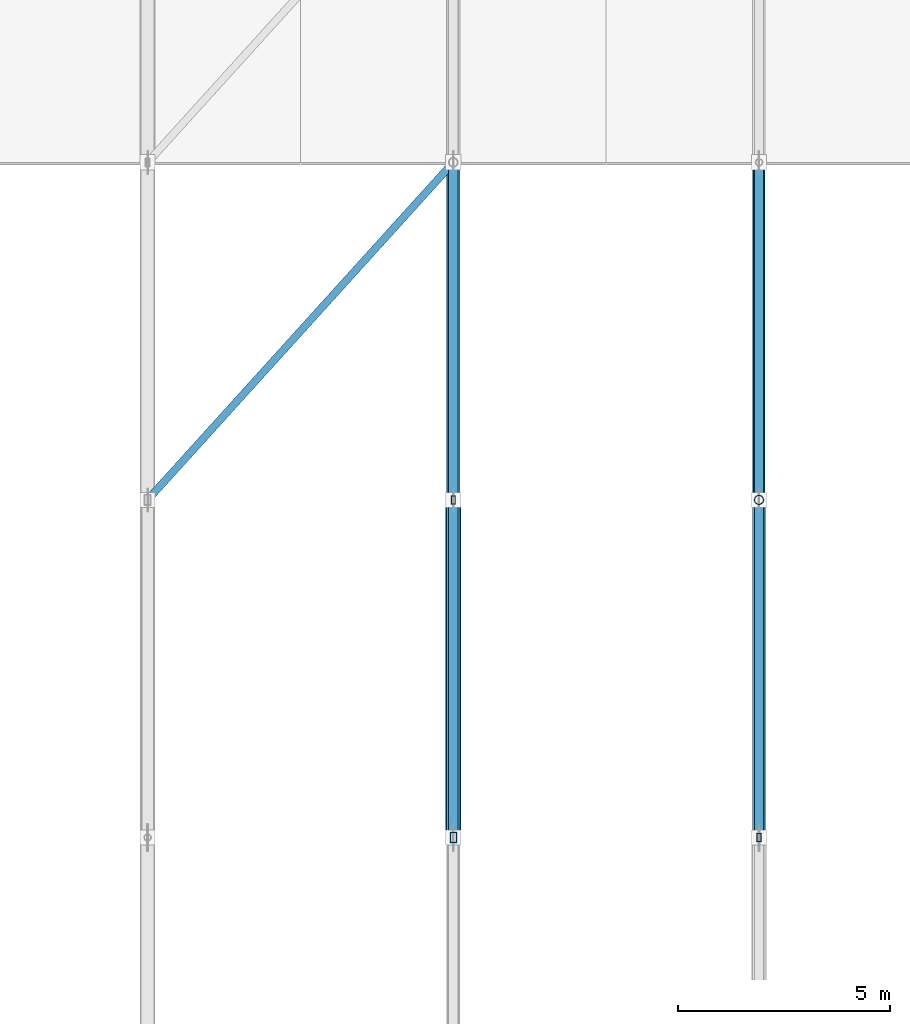
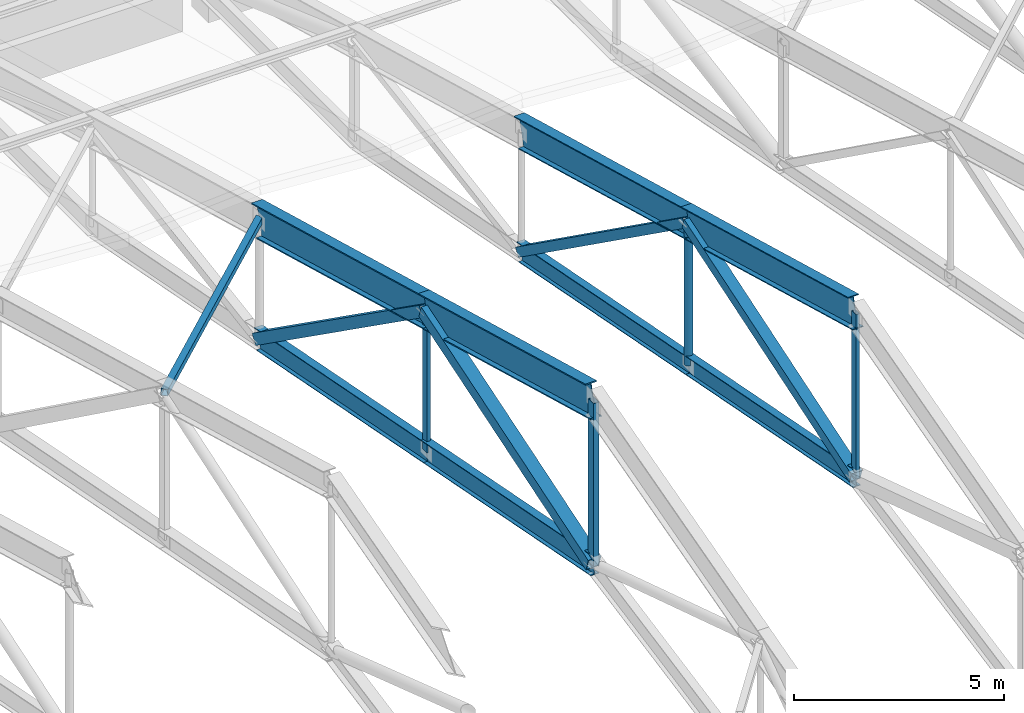
# One storey, part 19 of 53: 9 members, 8 beams.
"""IFC4 building model written with IfcOpenShell, lengths in metres."""

from ifc_helpers import new_model, si_unit, direction, frame, origin, origin_2d, place, context, subcontext, project, spatial, hollow_rectangle, hollow_circle, i_section, extrude, material, material_profile, profile_set, type_object, element, save


model = new_model("IFC4")

# Units and contexts
model_context = context("Model", 3, precision=1e-05, world=origin(), true_north=direction((0.0, 1.0)))
body_context = subcontext(model_context, "Body", "Model", "MODEL_VIEW")
ifc_project = project(units=[si_unit("LENGTHUNIT", "METRE"), si_unit("AREAUNIT", "SQUARE_METRE"), si_unit("VOLUMEUNIT", "CUBIC_METRE"), si_unit("PLANEANGLEUNIT", "RADIAN"), si_unit("MASSUNIT", "GRAM", prefix="KILO")], contexts=[model_context])

# Site, building, storey
site_placement = place(None, origin())
site = spatial("IfcSite", under=ifc_project, at=site_placement, CompositionType="ELEMENT")
building_placement = place(site_placement, origin())
building = spatial("IfcBuilding", under=site, at=building_placement, Name="Pellamere Symphony Hall", CompositionType="ELEMENT")
storey_placement = place(building_placement, frame((0.0, 0.0, 24.0)))
storey = spatial("IfcBuildingStorey", under=building, at=storey_placement, Name="L05", CompositionType="ELEMENT", Elevation=24.0)

# Beams
ifc_material = material(Name="Steel CSA G40.21 350W", Category="steel")
ifc_material_profile_1 = material_profile(ifc_material, i_section(OverallWidth=0.30810546875, OverallDepth=0.927001953125, WebThickness=0.019287109375, FlangeThickness=0.031982421875, at=origin_2d()), Name="W920X289")
ifc_profile_set_1 = profile_set([ifc_material_profile_1], Name="Steel CSA G40.21 350W")
beam_type_1 = type_object("IfcBeamType", Name="Steel Beam SB-02 W920X289", PredefinedType="BEAM", material=ifc_profile_set_1)
for number, where, z_axis, x_axis, name in (
    (1, (87.60009765625, 61.800048828125, 9.531494140625), (0.0, 0.964090435702, -0.265574154969), (-1.0, 0.0, 0.0), "Roof Truss TR-05 Top Chord 5"),
    (2, (87.60009765625, 69.75, 7.341552734375), (0.0, 0.964090435702, -0.265574154969), (-1.0, 0.0, 0.0), "Roof Truss TR-05 Top Chord 6"),
):
    element("IfcBeam", number, at=place(storey_placement, frame(where, z_axis=z_axis, x_axis=x_axis)), inside=storey, type_object=beam_type_1, Name=name, PredefinedType="BEAM", context=body_context, shape_type="SweptSolid", body=[
        extrude(i_section(OverallWidth=0.30810546875, OverallDepth=0.927001953125, WebThickness=0.019287109375, FlangeThickness=0.031982421875, at=origin_2d()), origin(), (0.0, 0.0, 1.0), 8.24609375),
    ])
ifc_material_profile_2 = material_profile(ifc_material, i_section(OverallWidth=0.2939453125, OverallDepth=0.85107421875, WebThickness=0.01611328125, FlangeThickness=0.02685546875, at=origin_2d()), Name="W840X226")
ifc_profile_set_2 = profile_set([ifc_material_profile_2], Name="Steel CSA G40.21 350W")
beam_type_2 = type_object("IfcBeamType", Name="Steel Beam SB-04 W840X226", PredefinedType="BEAM", material=ifc_profile_set_2)
for number, where, z_axis, x_axis, name in (
    (3, (94.800048828125, 61.800048828125, 9.569580078125), (0.0, 0.964082854885, -0.265601673408), (-1.0, 0.0, 0.0), "Roof Truss TR-06 Top Chord 5"),
    (4, (94.800048828125, 69.75, 7.37939453125), (0.0, 0.964090435702, -0.265574154969), (-1.0, 0.0, 0.0), "Roof Truss TR-06 Top Chord 6"),
):
    element("IfcBeam", number, at=place(storey_placement, frame(where, z_axis=z_axis, x_axis=x_axis)), inside=storey, type_object=beam_type_2, Name=name, PredefinedType="BEAM", context=body_context, shape_type="SweptSolid", body=[
        extrude(i_section(OverallWidth=0.2939453125, OverallDepth=0.85107421875, WebThickness=0.01611328125, FlangeThickness=0.02685546875, at=origin_2d()), origin(), (0.0, 0.0, 1.0), 8.24609375),
    ])
ifc_material_profile_3 = material_profile(ifc_material, i_section(OverallWidth=0.22802734375, OverallDepth=0.60791015625, WebThickness=0.01123046875, FlangeThickness=0.017333984375, at=origin_2d()), Name="W610X113")
ifc_profile_set_3 = profile_set([ifc_material_profile_3], Name="Steel CSA G40.21 350W")
beam_type_3 = type_object("IfcBeamType", Name="Steel Beam SB-12 W610X113", PredefinedType="BEAM", material=ifc_profile_set_3)
for number, where, z_axis, x_axis, name in (
    (5, (87.60009765625, 61.800048828125, 4.800048828125), (0.0, 0.981596715528, -0.190965672477), (-1.0, 0.0, 0.0), "Roof Truss TR-05 Bottom Chord 5"),
    (6, (87.60009765625, 69.75, 3.25341796875), (0.0, 0.981596715528, -0.190965672477), (-1.0, 0.0, 0.0), "Roof Truss TR-05 Bottom Chord 6"),
):
    element("IfcBeam", number, at=place(storey_placement, frame(where, z_axis=z_axis, x_axis=x_axis)), inside=storey, type_object=beam_type_3, Name=name, PredefinedType="BEAM", context=body_context, shape_type="SweptSolid", body=[
        extrude(i_section(OverallWidth=0.22802734375, OverallDepth=0.60791015625, WebThickness=0.01123046875, FlangeThickness=0.017333984375, at=origin_2d()), origin(), (0.0, 0.0, 1.0), 8.09912109375),
    ])
ifc_material_profile_4 = material_profile(ifc_material, i_section(OverallWidth=0.2109375, OverallDepth=0.5390625, WebThickness=0.01171875, FlangeThickness=0.018798828125, at=origin_2d()), Name="W530X109")
ifc_profile_set_4 = profile_set([ifc_material_profile_4], Name="Steel CSA G40.21 350W")
beam_type_4 = type_object("IfcBeamType", Name="Steel Beam SB-14 W530X109", PredefinedType="BEAM", material=ifc_profile_set_4)
for number, where, z_axis, x_axis, name in (
    (7, (94.800048828125, 61.800048828125, 4.800048828125), (0.0, 0.981596715528, -0.190965672477), (-1.0, 0.0, 0.0), "Roof Truss TR-06 Bottom Chord 5"),
    (8, (94.800048828125, 69.75, 3.25341796875), (0.0, 0.981596715528, -0.190965672477), (-1.0, 0.0, 0.0), "Roof Truss TR-06 Bottom Chord 6"),
):
    element("IfcBeam", number, at=place(storey_placement, frame(where, z_axis=z_axis, x_axis=x_axis)), inside=storey, type_object=beam_type_4, Name=name, PredefinedType="BEAM", context=body_context, shape_type="SweptSolid", body=[
        extrude(i_section(OverallWidth=0.2109375, OverallDepth=0.5390625, WebThickness=0.01171875, FlangeThickness=0.018798828125, at=origin_2d()), origin(), (0.0, 0.0, 1.0), 8.09912109375),
    ])

# Members
ifc_material_profile_5 = material_profile(ifc_material, hollow_rectangle(XDim=0.355712890625, YDim=0.355712890625, WallThickness=0.015869140625, at=origin_2d()), Name="HSS356X356X16")
ifc_profile_set_5 = profile_set([ifc_material_profile_5], Name="Steel CSA G40.21 350W")
member_type_1 = type_object("IfcMemberType", Name="Steel Member SM-01 HSS356X356X16", PredefinedType="CHORD", material=ifc_profile_set_5)
member_1_placement = place(storey_placement, frame((87.60009765625, 61.800048828125, 4.800048828125), z_axis=(0.0, 0.952510377057, 0.304506127358), x_axis=(-1.0, 0.0, 0.0)))
element("IfcMember", 9, at=member_1_placement, inside=storey, type_object=member_type_1, Name="Roof Truss TR-05 Web Diagonal 5", PredefinedType="CHORD", context=body_context, shape_type="SweptSolid", body=[
    extrude(hollow_rectangle(XDim=0.355712890625, YDim=0.355712890625, WallThickness=0.015869140625, at=origin_2d()), origin(), (0.0, 0.0, 1.0), 8.346435546875),
])
ifc_material_profile_6 = material_profile(ifc_material, hollow_rectangle(XDim=0.3046875, YDim=0.3046875, WallThickness=0.0126953125, at=origin_2d()), Name="HSS305X305X13")
ifc_profile_set_6 = profile_set([ifc_material_profile_6], Name="Steel CSA G40.21 350W")
member_type_2 = type_object("IfcMemberType", Name="Steel Member SM-02 HSS305X305X13", PredefinedType="CHORD", material=ifc_profile_set_6)
member_2_placement = place(storey_placement, frame((87.60009765625, 69.75, 7.341552734375), z_axis=(0.0, 0.815852596622, -0.578259924762), x_axis=(-1.0, 0.0, 0.0)))
element("IfcMember", 10, at=member_2_placement, inside=storey, type_object=member_type_2, Name="Roof Truss TR-05 Web Diagonal 6", PredefinedType="CHORD", context=body_context, shape_type="SweptSolid", body=[
    extrude(hollow_rectangle(XDim=0.3046875, YDim=0.3046875, WallThickness=0.0126953125, at=origin_2d()), origin(), (0.0, 0.0, 1.0), 9.744384765625),
])
member_3_placement = place(storey_placement, frame((94.800048828125, 61.800048828125, 4.800048828125), z_axis=(0.0, 0.951188293003, 0.308611132745), x_axis=(-1.0, 0.0, 0.0)))
element("IfcMember", 11, at=member_3_placement, inside=storey, type_object=member_type_2, Name="Roof Truss TR-06 Web Diagonal 5", PredefinedType="CHORD", context=body_context, shape_type="SweptSolid", body=[
    extrude(hollow_rectangle(XDim=0.3046875, YDim=0.3046875, WallThickness=0.0126953125, at=origin_2d()), origin(), (0.0, 0.0, 1.0), 8.35791015625),
])
ifc_material_profile_7 = material_profile(ifc_material, hollow_rectangle(XDim=0.25390625, YDim=0.25390625, WallThickness=0.0126953125, at=origin_2d()), Name="HSS254X254X13")
ifc_profile_set_7 = profile_set([ifc_material_profile_7], Name="Steel CSA G40.21 350W")
member_type_3 = type_object("IfcMemberType", Name="Steel Member SM-03 HSS254X254X13", PredefinedType="BRACE", material=ifc_profile_set_7)
member_4_placement = place(storey_placement, frame((94.800048828125, 69.75, 7.37939453125), z_axis=(0.0, 0.814020514852, -0.580836122672), x_axis=(-1.0, 0.0, 0.0)))
element("IfcMember", 12, at=member_4_placement, inside=storey, type_object=member_type_3, Name="Roof Truss TR-06 Web Diagonal 6", PredefinedType="BRACE", context=body_context, shape_type="SweptSolid", body=[
    extrude(hollow_rectangle(XDim=0.25390625, YDim=0.25390625, WallThickness=0.0126953125, at=origin_2d()), origin(), (0.0, 0.0, 1.0), 9.766357421875),
])
ifc_material_profile_8 = material_profile(ifc_material, hollow_rectangle(XDim=0.177734375, YDim=0.177734375, WallThickness=0.009521484375, at=origin_2d()), Name="HSS178X178X10")
ifc_profile_set_8 = profile_set([ifc_material_profile_8], Name="Steel CSA G40.21 350W")
member_type_4 = type_object("IfcMemberType", Name="Steel Member SM-05 HSS178X178X10", PredefinedType="BRACE", material=ifc_profile_set_8)
member_5_placement = place(storey_placement, frame((80.39990234375, 69.75, 7.45751953125), z_axis=(0.656296416042, 0.724636518228, -0.210183088618), x_axis=(-0.741193261843, 0.671291701571, 0.0)))
element("IfcMember", 13, at=member_5_placement, inside=storey, type_object=member_type_4, Name="Roof Truss Plan Wind Brace 4.5", PredefinedType="BRACE", context=body_context, shape_type="SweptSolid", body=[
    extrude(hollow_rectangle(XDim=0.177734375, YDim=0.177734375, WallThickness=0.009521484375, at=origin_2d()), origin(), (0.0, 0.0, 1.0), 10.970947265625),
])
ifc_material_profile_9 = material_profile(ifc_material, hollow_rectangle(XDim=0.15234375, YDim=0.25390625, WallThickness=0.010986328125, at=origin_2d()), Name="HSS254X152X11")
ifc_profile_set_9 = profile_set([ifc_material_profile_9], Name="Steel CSA G40.21 350W")
member_type_5 = type_object("IfcMemberType", Name="Steel Member SM-07 HSS254X152X11", PredefinedType="STRUT", material=ifc_profile_set_9)
member_6_placement = place(storey_placement, frame((87.60009765625, 61.800048828125, 4.800048828125), z_axis=(0.0, 0.0, 1.0), x_axis=(1.0, 0.0, 0.0)))
element("IfcMember", 14, at=member_6_placement, inside=storey, type_object=member_type_5, Name="Roof Truss TR-05 Vertical Post 4", PredefinedType="STRUT", context=body_context, shape_type="SweptSolid", body=[
    extrude(hollow_rectangle(XDim=0.15234375, YDim=0.25390625, WallThickness=0.010986328125, at=origin_2d()), origin(), (0.0, 0.0, 1.0), 4.7314453125),
])
ifc_material_profile_10 = material_profile(ifc_material, hollow_rectangle(XDim=0.1015625, YDim=0.203125, WallThickness=0.009521484375, at=origin_2d()), Name="HSS203X102X10")
ifc_profile_set_10 = profile_set([ifc_material_profile_10], Name="Steel CSA G40.21 350W")
member_type_6 = type_object("IfcMemberType", Name="Steel Member SM-08 HSS203X102X10", PredefinedType="STRUT", material=ifc_profile_set_10)
member_7_placement = place(storey_placement, frame((87.60009765625, 69.75, 3.25341796875), z_axis=(0.0, 0.0, 1.0), x_axis=(1.0, 0.0, 0.0)))
element("IfcMember", 15, at=member_7_placement, inside=storey, type_object=member_type_6, Name="Roof Truss TR-05 Vertical Post 5", PredefinedType="STRUT", context=body_context, shape_type="SweptSolid", body=[
    extrude(hollow_rectangle(XDim=0.1015625, YDim=0.203125, WallThickness=0.009521484375, at=origin_2d()), origin(), (0.0, 0.0, 1.0), 4.088134765625),
])
member_8_placement = place(storey_placement, frame((94.800048828125, 61.800048828125, 4.800048828125), z_axis=(0.0, 0.0, 1.0), x_axis=(1.0, 0.0, 0.0)))
element("IfcMember", 16, at=member_8_placement, inside=storey, type_object=member_type_6, Name="Roof Truss TR-06 Vertical Post 4", PredefinedType="STRUT", context=body_context, shape_type="SweptSolid", body=[
    extrude(hollow_rectangle(XDim=0.1015625, YDim=0.203125, WallThickness=0.009521484375, at=origin_2d()), origin(), (0.0, 0.0, 1.0), 4.76953125),
])
ifc_material_profile_11 = material_profile(ifc_material, hollow_circle(Radius=0.109619140625, WallThickness=0.009521484375, at=origin_2d()), Name="HSS219X10")
ifc_profile_set_11 = profile_set([ifc_material_profile_11], Name="Steel CSA G40.21 350W")
member_type_7 = type_object("IfcMemberType", Name="Steel Member SM-13 HSS219X10", PredefinedType="STRUT", material=ifc_profile_set_11)
member_9_placement = place(storey_placement, frame((94.800048828125, 69.75, 3.25341796875), z_axis=(0.0, 0.0, 1.0), x_axis=(1.0, 0.0, 0.0)))
element("IfcMember", 17, at=member_9_placement, inside=storey, type_object=member_type_7, Name="Roof Truss TR-06 Vertical Post 5", PredefinedType="STRUT", context=body_context, shape_type="SweptSolid", body=[
    extrude(hollow_circle(Radius=0.109619140625, WallThickness=0.009521484375, at=origin_2d()), origin(), (0.0, 0.0, 1.0), 4.1259765625),
])

save(model, "model.ifc")
